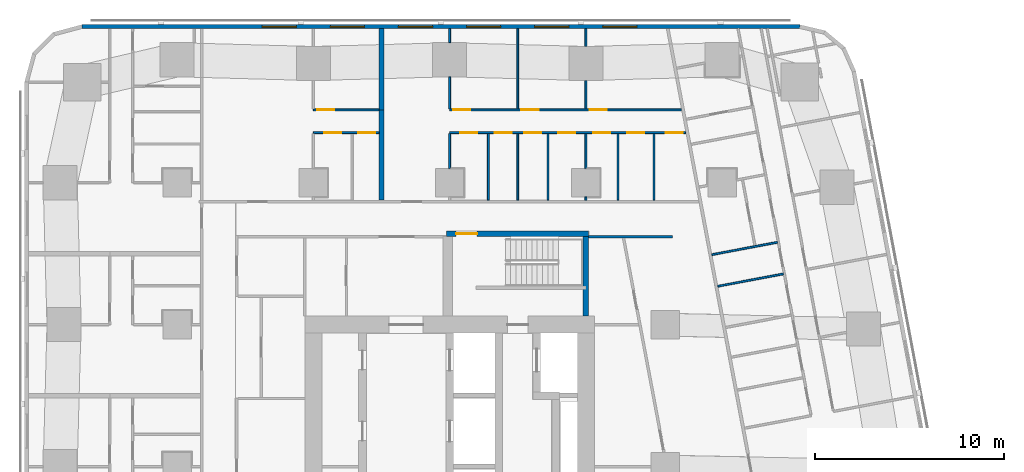
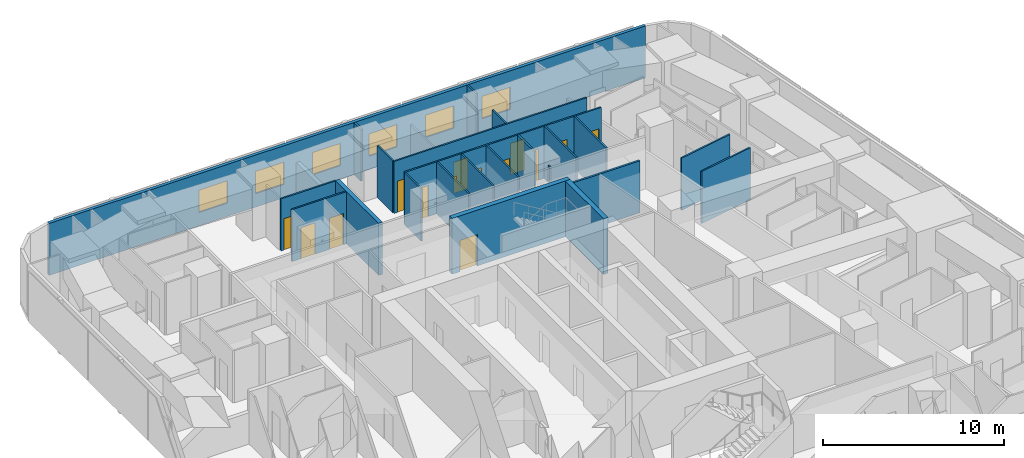
# One storey, part 10 of 15: 25 walls, 14 doors, 6 windows, 20 openings.
"""IFC4 building model written with IfcOpenShell, lengths in metres."""

from ifc_helpers import new_model, si_unit, direction, frame, frame_2d, origin, place, context, subcontext, project, spatial, rectangle, extrude, material, layer, layer_set, type_object, element, fill, save


model = new_model("IFC4")

# Units and contexts
model_context = context("Model", 3, precision=1e-05, world=origin(), true_north=direction((0.0, 1.0)))
body_context = subcontext(model_context, "Body", "Model", "MODEL_VIEW")
ifc_project = project(units=[si_unit("LENGTHUNIT", "METRE"), si_unit("AREAUNIT", "SQUARE_METRE"), si_unit("VOLUMEUNIT", "CUBIC_METRE"), si_unit("PLANEANGLEUNIT", "RADIAN"), si_unit("MASSUNIT", "GRAM", prefix="KILO")], contexts=[model_context])

# Site, building, storey
site_placement = place(None, origin())
site = spatial("IfcSite", under=ifc_project, at=site_placement, CompositionType="ELEMENT")
building_placement = place(site_placement, origin())
building = spatial("IfcBuilding", under=site, at=building_placement, Name="Sheger Commons Tower", CompositionType="ELEMENT")
storey_placement = place(building_placement, frame((0.0, 0.0, 143.300048828125)))
storey = spatial("IfcBuildingStorey", under=building, at=storey_placement, Name="L36", CompositionType="ELEMENT", Elevation=143.300048828125)

# Walls
ifc_material_1 = material(Name="Dense concrete block masonry, plastered both sides (separating wall between flats)", Category="masonry")
ifc_layer_1 = layer(ifc_material_1, 0.25)
ifc_layer_set_1 = layer_set([ifc_layer_1], Name="DEMISING WALL 250")
wall_type_1 = type_object("IfcWallType", Name="DEMISING WALL 250", PredefinedType="SOLIDWALL", material=ifc_layer_set_1)
wall_1_placement = place(storey_placement, frame((18.0, 41.35009765625, 0.0), z_axis=(0.0, 0.0, 1.0), x_axis=(0.0, 1.0, 0.0)))
element("IfcWall", 1, at=wall_1_placement, inside=storey, type_object=wall_type_1, Name="Demising wall L36", PredefinedType="SOLIDWALL", context=body_context, shape_type="SweptSolid", body=[
    extrude(rectangle(XDim=4.2998046875, YDim=0.25, at=frame_2d((2.14990234375, 0.0))), origin(), (0.0, 0.0, 1.0), 2.099853515625),
])
wall_2_placement = place(storey_placement, frame((18.0, 36.574951171875, 0.0), z_axis=(0.0, 0.0, 1.0), x_axis=(0.0, 1.0, 0.0)))
element("IfcWall", 2, at=wall_2_placement, inside=storey, type_object=wall_type_1, Name="Demising wall L36", PredefinedType="SOLIDWALL", context=body_context, shape_type="SweptSolid", body=[
    extrude(rectangle(XDim=4.775146484375, YDim=0.25, at=frame_2d((2.3876953125, 0.0))), origin(), (0.0, 0.0, 1.0), 3.5),
])

# Wall, openings, windows
ifc_material_2 = material(Name="Rendered concrete block masonry, dark grey", Category="masonry")
ifc_layer_2 = layer(ifc_material_2, 0.199951171875)
ifc_layer_set_2 = layer_set([ifc_layer_2], Name="FACADE WALL 200")
wall_type_2 = type_object("IfcWallType", Name="FACADE WALL 200", PredefinedType="SOLIDWALL", material=ifc_layer_set_2)
wall_3_placement = place(storey_placement, frame((40.10595703125, 45.75, 0.0), z_axis=(0.0, 0.0, 1.0), x_axis=(-1.0, 0.0, 0.0)))
wall_3 = element("IfcWall", 3, at=wall_3_placement, inside=storey, type_object=wall_type_2, Name="Facade wall L36", PredefinedType="SOLIDWALL", context=body_context, shape_type="SweptSolid", body=[
    extrude(rectangle(XDim=37.94287109375, YDim=0.199951171875, at=frame_2d((18.971435546875, 0.0))), origin(), (0.0, 0.0, 1.0), 3.5),
])
opening_1_placement = place(wall_3_placement, frame((8.60595703125, 0.0, 0.89990234375)))
opening_1 = element("IfcOpeningElement", 4, at=opening_1_placement, cuts=wall_3, Name="Opening W2", PredefinedType="OPENING", context=body_context, shape_type="SweptSolid", body=[
    extrude(rectangle(XDim=1.800048828125, YDim=1.5, at=frame_2d((0.89990234375, 0.75))), frame((0.0, 0.10986328125, 0.0), z_axis=(0.0, -1.0, 0.0), x_axis=(1.0, 0.0, 0.0)), (0.0, 0.0, 1.0), 0.219970703125),
])
opening_2_placement = place(wall_3_placement, frame((12.2060546875, 0.0, 0.89990234375)))
opening_2 = element("IfcOpeningElement", 5, at=opening_2_placement, cuts=wall_3, Name="Opening W2", PredefinedType="OPENING", context=body_context, shape_type="SweptSolid", body=[
    extrude(rectangle(XDim=1.800048828125, YDim=1.5, at=frame_2d((0.89990234375, 0.75))), frame((0.0, 0.10986328125, 0.0), z_axis=(0.0, -1.0, 0.0), x_axis=(1.0, 0.0, 0.0)), (0.0, 0.0, 1.0), 0.219970703125),
])
opening_3_placement = place(wall_3_placement, frame((15.805908203125, 0.0, 0.89990234375)))
opening_3 = element("IfcOpeningElement", 6, at=opening_3_placement, cuts=wall_3, Name="Opening W2", PredefinedType="OPENING", context=body_context, shape_type="SweptSolid", body=[
    extrude(rectangle(XDim=1.800048828125, YDim=1.5, at=frame_2d((0.89990234375, 0.75))), frame((0.0, 0.10986328125, 0.0), z_axis=(0.0, -1.0, 0.0), x_axis=(1.0, 0.0, 0.0)), (0.0, 0.0, 1.0), 0.219970703125),
])
opening_4_placement = place(wall_3_placement, frame((19.406005859375, 0.0, 0.89990234375)))
opening_4 = element("IfcOpeningElement", 7, at=opening_4_placement, cuts=wall_3, Name="Opening W2", PredefinedType="OPENING", context=body_context, shape_type="SweptSolid", body=[
    extrude(rectangle(XDim=1.800048828125, YDim=1.5, at=frame_2d((0.89990234375, 0.75))), frame((0.0, 0.10986328125, 0.0), z_axis=(0.0, -1.0, 0.0), x_axis=(1.0, 0.0, 0.0)), (0.0, 0.0, 1.0), 0.219970703125),
])
opening_5_placement = place(wall_3_placement, frame((23.006103515625, 0.0, 0.89990234375)))
opening_5 = element("IfcOpeningElement", 8, at=opening_5_placement, cuts=wall_3, Name="Opening W2", PredefinedType="OPENING", context=body_context, shape_type="SweptSolid", body=[
    extrude(rectangle(XDim=1.800048828125, YDim=1.5, at=frame_2d((0.89990234375, 0.75))), frame((0.0, 0.10986328125, 0.0), z_axis=(0.0, -1.0, 0.0), x_axis=(1.0, 0.0, 0.0)), (0.0, 0.0, 1.0), 0.219970703125),
])
opening_6_placement = place(wall_3_placement, frame((26.60595703125, 0.0, 0.89990234375)))
opening_6 = element("IfcOpeningElement", 9, at=opening_6_placement, cuts=wall_3, Name="Opening W2", PredefinedType="OPENING", context=body_context, shape_type="SweptSolid", body=[
    extrude(rectangle(XDim=1.800048828125, YDim=1.5, at=frame_2d((0.89990234375, 0.75))), frame((0.0, 0.10986328125, 0.0), z_axis=(0.0, -1.0, 0.0), x_axis=(1.0, 0.0, 0.0)), (0.0, 0.0, 1.0), 0.219970703125),
])
ifc_material_3 = material(Name="Black aluminium frame, dark tinted double glazing", Category="aluminium")
window_type = type_object("IfcWindowType", Name="WINDOW W2 1800x1500", PartitioningType="SINGLE_PANEL", PredefinedType="WINDOW", material=ifc_material_3)
window_1_placement = place(opening_1_placement, origin())
window_1 = element("IfcWindow", 10, at=window_1_placement, inside=storey, type_object=window_type, Name="Window W2 1800X1500", OverallHeight=1.5, OverallWidth=1.800048828125, PartitioningType="SINGLE_PANEL", PredefinedType="WINDOW", context=body_context, shape_type="SweptSolid", body=[
    extrude(rectangle(XDim=1.800048828125, YDim=1.5, at=frame_2d((0.89990234375, 0.75))), frame((0.0, 0.030029296875, 0.0), z_axis=(0.0, -1.0, 0.0), x_axis=(1.0, 0.0, 0.0)), (0.0, 0.0, 1.0), 0.06005859375),
])
fill(opening_1, window_1)
window_2_placement = place(opening_2_placement, origin())
window_2 = element("IfcWindow", 11, at=window_2_placement, inside=storey, type_object=window_type, Name="Window W2 1800X1500", OverallHeight=1.5, OverallWidth=1.800048828125, PartitioningType="SINGLE_PANEL", PredefinedType="WINDOW", context=body_context, shape_type="SweptSolid", body=[
    extrude(rectangle(XDim=1.800048828125, YDim=1.5, at=frame_2d((0.89990234375, 0.75))), frame((0.0, 0.030029296875, 0.0), z_axis=(0.0, -1.0, 0.0), x_axis=(1.0, 0.0, 0.0)), (0.0, 0.0, 1.0), 0.06005859375),
])
fill(opening_2, window_2)
window_3_placement = place(opening_3_placement, origin())
window_3 = element("IfcWindow", 12, at=window_3_placement, inside=storey, type_object=window_type, Name="Window W2 1800X1500", OverallHeight=1.5, OverallWidth=1.800048828125, PartitioningType="SINGLE_PANEL", PredefinedType="WINDOW", context=body_context, shape_type="SweptSolid", body=[
    extrude(rectangle(XDim=1.800048828125, YDim=1.5, at=frame_2d((0.89990234375, 0.75))), frame((0.0, 0.030029296875, 0.0), z_axis=(0.0, -1.0, 0.0), x_axis=(1.0, 0.0, 0.0)), (0.0, 0.0, 1.0), 0.06005859375),
])
fill(opening_3, window_3)
window_4_placement = place(opening_4_placement, origin())
window_4 = element("IfcWindow", 13, at=window_4_placement, inside=storey, type_object=window_type, Name="Window W2 1800X1500", OverallHeight=1.5, OverallWidth=1.800048828125, PartitioningType="SINGLE_PANEL", PredefinedType="WINDOW", context=body_context, shape_type="SweptSolid", body=[
    extrude(rectangle(XDim=1.800048828125, YDim=1.5, at=frame_2d((0.89990234375, 0.75))), frame((0.0, 0.030029296875, 0.0), z_axis=(0.0, -1.0, 0.0), x_axis=(1.0, 0.0, 0.0)), (0.0, 0.0, 1.0), 0.06005859375),
])
fill(opening_4, window_4)
window_5_placement = place(opening_5_placement, origin())
window_5 = element("IfcWindow", 14, at=window_5_placement, inside=storey, type_object=window_type, Name="Window W2 1800X1500", OverallHeight=1.5, OverallWidth=1.800048828125, PartitioningType="SINGLE_PANEL", PredefinedType="WINDOW", context=body_context, shape_type="SweptSolid", body=[
    extrude(rectangle(XDim=1.800048828125, YDim=1.5, at=frame_2d((0.89990234375, 0.75))), frame((0.0, 0.030029296875, 0.0), z_axis=(0.0, -1.0, 0.0), x_axis=(1.0, 0.0, 0.0)), (0.0, 0.0, 1.0), 0.06005859375),
])
fill(opening_5, window_5)
window_6_placement = place(opening_6_placement, origin())
window_6 = element("IfcWindow", 15, at=window_6_placement, inside=storey, type_object=window_type, Name="Window W2 1800X1500", OverallHeight=1.5, OverallWidth=1.800048828125, PartitioningType="SINGLE_PANEL", PredefinedType="WINDOW", context=body_context, shape_type="SweptSolid", body=[
    extrude(rectangle(XDim=1.800048828125, YDim=1.5, at=frame_2d((0.89990234375, 0.75))), frame((0.0, 0.030029296875, 0.0), z_axis=(0.0, -1.0, 0.0), x_axis=(1.0, 0.0, 0.0)), (0.0, 0.0, 1.0), 0.06005859375),
])
fill(opening_6, window_6)

# Walls
ifc_material_4 = material(Name="Gypsum board on steel studs", Category="steel")
ifc_layer_3 = layer(ifc_material_4, 0.10009765625)
ifc_layer_set_3 = layer_set([ifc_layer_3], Name="PARTITION 100")
wall_type_3 = type_object("IfcWallType", Name="PARTITION 100", PredefinedType="PARTITIONING", material=ifc_layer_set_3)
wall_4_placement = place(storey_placement, frame((39.239990234375, 32.68310546875, 0.0), z_axis=(0.0, 0.0, 1.0), x_axis=(-0.982638553676, -0.185530247748, 0.0)))
element("IfcWall", 16, at=wall_4_placement, inside=storey, type_object=wall_type_3, Name="Partition L36", PredefinedType="PARTITIONING", context=body_context, shape_type="SweptSolid", body=[
    extrude(rectangle(XDim=3.525390625, YDim=0.10009765625, at=frame_2d((1.7626953125, 0.0))), origin(), (0.0, 0.0, 1.0), 3.5),
])
wall_5_placement = place(storey_placement, frame((38.924072265625, 34.35302734375, 0.0), z_axis=(0.0, 0.0, 1.0), x_axis=(-0.982629014545, -0.18558076348, 0.0)))
element("IfcWall", 17, at=wall_5_placement, inside=storey, type_object=wall_type_3, Name="Partition L36", PredefinedType="PARTITIONING", context=body_context, shape_type="SweptSolid", body=[
    extrude(rectangle(XDim=3.5244140625, YDim=0.10009765625, at=frame_2d((1.76220703125, 0.0))), origin(), (0.0, 0.0, 1.0), 3.5),
])

# Wall, opening, door
wall_6_placement = place(storey_placement, frame((14.39990234375, 41.35009765625, 0.0), z_axis=(0.0, 0.0, 1.0), x_axis=(1.0, 0.0, 0.0)))
wall_6 = element("IfcWall", 18, at=wall_6_placement, inside=storey, type_object=wall_type_3, Name="Partition L36", PredefinedType="PARTITIONING", context=body_context, shape_type="SweptSolid", body=[
    extrude(rectangle(XDim=3.47509765625, YDim=0.10009765625, at=frame_2d((1.737548828125, 0.0))), origin(), (0.0, 0.0, 1.0), 3.5),
])
opening_7_placement = place(wall_6_placement, frame((0.199951171875, 0.0, 0.0)))
opening_7 = element("IfcOpeningElement", 19, at=opening_7_placement, cuts=wall_6, Name="Opening D2", PredefinedType="OPENING", context=body_context, shape_type="SweptSolid", body=[
    extrude(rectangle(XDim=0.89990234375, YDim=2.10009765625, at=frame_2d((0.449951171875, 1.050048828125))), frame((0.0, 0.06005859375, 0.0), z_axis=(0.0, -1.0, 0.0), x_axis=(1.0, 0.0, 0.0)), (0.0, 0.0, 1.0), 0.1201171875),
])
ifc_material_5 = material(Name="Timber door set", Category="wood")
door_type_1 = type_object("IfcDoorType", Name="INTERNAL DOOR 900x2100", OperationType="NOTDEFINED", PredefinedType="DOOR", material=ifc_material_5)
door_1_placement = place(opening_7_placement, origin())
door_1 = element("IfcDoor", 20, at=door_1_placement, inside=storey, type_object=door_type_1, Name="Main bedroom door", OperationType="SINGLE_SWING_LEFT", OverallHeight=2.10009765625, OverallWidth=0.89990234375, PredefinedType="DOOR", context=body_context, shape_type="SweptSolid", body=[
    extrude(rectangle(XDim=0.89990234375, YDim=2.10009765625, at=frame_2d((0.449951171875, 1.050048828125))), frame((0.0, 0.02490234375, 0.0), z_axis=(0.0, -1.0, 0.0), x_axis=(1.0, 0.0, 0.0)), (0.0, 0.0, 1.0), 0.050048828125),
])
fill(opening_7, door_1)

# Wall, openings, doors
wall_7_placement = place(storey_placement, frame((14.39990234375, 40.14990234375, 0.0), z_axis=(0.0, 0.0, 1.0), x_axis=(1.0, 0.0, 0.0)))
wall_7 = element("IfcWall", 21, at=wall_7_placement, inside=storey, type_object=wall_type_3, Name="Partition L36", PredefinedType="PARTITIONING", context=body_context, shape_type="SweptSolid", body=[
    extrude(rectangle(XDim=3.47509765625, YDim=0.10009765625, at=frame_2d((1.737548828125, 0.0))), origin(), (0.0, 0.0, 1.0), 3.5),
])
opening_8_placement = place(wall_7_placement, frame((0.574951171875, 0.0, 0.0)))
opening_8 = element("IfcOpeningElement", 22, at=opening_8_placement, cuts=wall_7, Name="Opening D2", PredefinedType="OPENING", context=body_context, shape_type="SweptSolid", body=[
    extrude(rectangle(XDim=0.89990234375, YDim=2.10009765625, at=frame_2d((0.449951171875, 1.050048828125))), frame((0.0, 0.06005859375, 0.0), z_axis=(0.0, -1.0, 0.0), x_axis=(1.0, 0.0, 0.0)), (0.0, 0.0, 1.0), 0.1201171875),
])
opening_9_placement = place(wall_7_placement, frame((2.375, 0.0, 0.0)))
opening_9 = element("IfcOpeningElement", 23, at=opening_9_placement, cuts=wall_7, Name="Opening D2", PredefinedType="OPENING", context=body_context, shape_type="SweptSolid", body=[
    extrude(rectangle(XDim=0.89990234375, YDim=2.10009765625, at=frame_2d((0.449951171875, 1.050048828125))), frame((0.0, 0.06005859375, 0.0), z_axis=(0.0, -1.0, 0.0), x_axis=(1.0, 0.0, 0.0)), (0.0, 0.0, 1.0), 0.1201171875),
])
door_2_placement = place(opening_8_placement, origin())
door_2 = element("IfcDoor", 24, at=door_2_placement, inside=storey, type_object=door_type_1, Name="Bathroom door", OperationType="SINGLE_SWING_RIGHT", OverallHeight=2.10009765625, OverallWidth=0.89990234375, PredefinedType="DOOR", context=body_context, shape_type="SweptSolid", body=[
    extrude(rectangle(XDim=0.89990234375, YDim=2.10009765625, at=frame_2d((0.449951171875, 1.050048828125))), frame((0.0, 0.02490234375, 0.0), z_axis=(0.0, -1.0, 0.0), x_axis=(1.0, 0.0, 0.0)), (0.0, 0.0, 1.0), 0.050048828125),
])
fill(opening_8, door_2)
door_3_placement = place(opening_9_placement, origin())
door_3 = element("IfcDoor", 25, at=door_3_placement, inside=storey, type_object=door_type_1, Name="Store door", OperationType="SINGLE_SWING_LEFT", OverallHeight=2.10009765625, OverallWidth=0.89990234375, PredefinedType="DOOR", context=body_context, shape_type="SweptSolid", body=[
    extrude(rectangle(XDim=0.89990234375, YDim=2.10009765625, at=frame_2d((0.449951171875, 1.050048828125))), frame((0.0, 0.02490234375, 0.0), z_axis=(0.0, -1.0, 0.0), x_axis=(1.0, 0.0, 0.0)), (0.0, 0.0, 1.0), 0.050048828125),
])
fill(opening_9, door_3)

wall_8_placement = place(storey_placement, frame((21.60009765625, 41.35009765625, 0.0), z_axis=(0.0, 0.0, 1.0), x_axis=(1.0, 0.0, 0.0)))
wall_8 = element("IfcWall", 26, at=wall_8_placement, inside=storey, type_object=wall_type_3, Name="Partition L36", PredefinedType="PARTITIONING", context=body_context, shape_type="SweptSolid", body=[
    extrude(rectangle(XDim=12.2529296875, YDim=0.10009765625, at=frame_2d((6.12646484375, 0.0))), origin(), (0.0, 0.0, 1.0), 3.5),
])
opening_10_placement = place(wall_8_placement, frame((0.199951171875, 0.0, 0.0)))
opening_10 = element("IfcOpeningElement", 27, at=opening_10_placement, cuts=wall_8, Name="Opening D2", PredefinedType="OPENING", context=body_context, shape_type="SweptSolid", body=[
    extrude(rectangle(XDim=0.89990234375, YDim=2.10009765625, at=frame_2d((0.449951171875, 1.050048828125))), frame((0.0, 0.06005859375, 0.0), z_axis=(0.0, -1.0, 0.0), x_axis=(1.0, 0.0, 0.0)), (0.0, 0.0, 1.0), 0.1201171875),
])
opening_11_placement = place(wall_8_placement, frame((3.800048828125, 0.0, 0.0)))
opening_11 = element("IfcOpeningElement", 28, at=opening_11_placement, cuts=wall_8, Name="Opening D2", PredefinedType="OPENING", context=body_context, shape_type="SweptSolid", body=[
    extrude(rectangle(XDim=0.89990234375, YDim=2.10009765625, at=frame_2d((0.449951171875, 1.050048828125))), frame((0.0, 0.06005859375, 0.0), z_axis=(0.0, -1.0, 0.0), x_axis=(1.0, 0.0, 0.0)), (0.0, 0.0, 1.0), 0.1201171875),
])
opening_12_placement = place(wall_8_placement, frame((7.39990234375, 0.0, 0.0)))
opening_12 = element("IfcOpeningElement", 29, at=opening_12_placement, cuts=wall_8, Name="Opening D2", PredefinedType="OPENING", context=body_context, shape_type="SweptSolid", body=[
    extrude(rectangle(XDim=0.89990234375, YDim=2.10009765625, at=frame_2d((0.449951171875, 1.050048828125))), frame((0.0, 0.06005859375, 0.0), z_axis=(0.0, -1.0, 0.0), x_axis=(1.0, 0.0, 0.0)), (0.0, 0.0, 1.0), 0.1201171875),
])
door_4_placement = place(opening_10_placement, origin())
door_4 = element("IfcDoor", 30, at=door_4_placement, inside=storey, type_object=door_type_1, Name="Main bedroom door", OperationType="SINGLE_SWING_LEFT", OverallHeight=2.10009765625, OverallWidth=0.89990234375, PredefinedType="DOOR", context=body_context, shape_type="SweptSolid", body=[
    extrude(rectangle(XDim=0.89990234375, YDim=2.10009765625, at=frame_2d((0.449951171875, 1.050048828125))), frame((0.0, 0.02490234375, 0.0), z_axis=(0.0, -1.0, 0.0), x_axis=(1.0, 0.0, 0.0)), (0.0, 0.0, 1.0), 0.050048828125),
])
fill(opening_10, door_4)
door_5_placement = place(opening_11_placement, origin())
door_5 = element("IfcDoor", 31, at=door_5_placement, inside=storey, type_object=door_type_1, Name="Bedroom 2 door", OperationType="SINGLE_SWING_LEFT", OverallHeight=2.10009765625, OverallWidth=0.89990234375, PredefinedType="DOOR", context=body_context, shape_type="SweptSolid", body=[
    extrude(rectangle(XDim=0.89990234375, YDim=2.10009765625, at=frame_2d((0.449951171875, 1.050048828125))), frame((0.0, 0.02490234375, 0.0), z_axis=(0.0, -1.0, 0.0), x_axis=(1.0, 0.0, 0.0)), (0.0, 0.0, 1.0), 0.050048828125),
])
fill(opening_11, door_5)
door_6_placement = place(opening_12_placement, origin())
door_6 = element("IfcDoor", 32, at=door_6_placement, inside=storey, type_object=door_type_1, Name="Bedroom 3 door", OperationType="SINGLE_SWING_LEFT", OverallHeight=2.10009765625, OverallWidth=0.89990234375, PredefinedType="DOOR", context=body_context, shape_type="SweptSolid", body=[
    extrude(rectangle(XDim=0.89990234375, YDim=2.10009765625, at=frame_2d((0.449951171875, 1.050048828125))), frame((0.0, 0.02490234375, 0.0), z_axis=(0.0, -1.0, 0.0), x_axis=(1.0, 0.0, 0.0)), (0.0, 0.0, 1.0), 0.050048828125),
])
fill(opening_12, door_6)

wall_9_placement = place(storey_placement, frame((21.60009765625, 40.14990234375, 0.0), z_axis=(0.0, 0.0, 1.0), x_axis=(1.0, 0.0, 0.0)))
wall_9 = element("IfcWall", 33, at=wall_9_placement, inside=storey, type_object=wall_type_3, Name="Partition L36", PredefinedType="PARTITIONING", context=body_context, shape_type="SweptSolid", body=[
    extrude(rectangle(XDim=12.47998046875, YDim=0.10009765625, at=frame_2d((6.239990234375, 0.0))), origin(), (0.0, 0.0, 1.0), 3.5),
])
opening_13_placement = place(wall_9_placement, frame((0.574951171875, 0.0, 0.0)))
opening_13 = element("IfcOpeningElement", 34, at=opening_13_placement, cuts=wall_9, Name="Opening D2", PredefinedType="OPENING", context=body_context, shape_type="SweptSolid", body=[
    extrude(rectangle(XDim=0.89990234375, YDim=2.10009765625, at=frame_2d((0.449951171875, 1.050048828125))), frame((0.0, 0.06005859375, 0.0), z_axis=(0.0, -1.0, 0.0), x_axis=(1.0, 0.0, 0.0)), (0.0, 0.0, 1.0), 0.1201171875),
])
opening_14_placement = place(wall_9_placement, frame((3.949951171875, 0.0, 0.0)))
opening_14 = element("IfcOpeningElement", 35, at=opening_14_placement, cuts=wall_9, Name="Opening D2", PredefinedType="OPENING", context=body_context, shape_type="SweptSolid", body=[
    extrude(rectangle(XDim=0.89990234375, YDim=2.10009765625, at=frame_2d((0.449951171875, 1.050048828125))), frame((0.0, 0.06005859375, 0.0), z_axis=(0.0, -1.0, 0.0), x_axis=(1.0, 0.0, 0.0)), (0.0, 0.0, 1.0), 0.1201171875),
])
opening_15_placement = place(wall_9_placement, frame((7.60009765625, 0.0, 0.0)))
opening_15 = element("IfcOpeningElement", 36, at=opening_15_placement, cuts=wall_9, Name="Opening D2", PredefinedType="OPENING", context=body_context, shape_type="SweptSolid", body=[
    extrude(rectangle(XDim=0.89990234375, YDim=2.10009765625, at=frame_2d((0.449951171875, 1.050048828125))), frame((0.0, 0.06005859375, 0.0), z_axis=(0.0, -1.0, 0.0), x_axis=(1.0, 0.0, 0.0)), (0.0, 0.0, 1.0), 0.1201171875),
])
opening_16_placement = place(wall_9_placement, frame((11.429931640625, 0.0, 0.0)))
opening_16 = element("IfcOpeningElement", 37, at=opening_16_placement, cuts=wall_9, Name="Opening D2", PredefinedType="OPENING", context=body_context, shape_type="SweptSolid", body=[
    extrude(rectangle(XDim=0.89990234375, YDim=2.10009765625, at=frame_2d((0.449951171875, 1.050048828125))), frame((0.0, 0.06005859375, 0.0), z_axis=(0.0, -1.0, 0.0), x_axis=(1.0, 0.0, 0.0)), (0.0, 0.0, 1.0), 0.1201171875),
])
opening_17_placement = place(wall_9_placement, frame((2.375, 0.0, 0.0)))
opening_17 = element("IfcOpeningElement", 38, at=opening_17_placement, cuts=wall_9, Name="Opening D2", PredefinedType="OPENING", context=body_context, shape_type="SweptSolid", body=[
    extrude(rectangle(XDim=0.89990234375, YDim=2.10009765625, at=frame_2d((0.449951171875, 1.050048828125))), frame((0.0, 0.06005859375, 0.0), z_axis=(0.0, -1.0, 0.0), x_axis=(1.0, 0.0, 0.0)), (0.0, 0.0, 1.0), 0.1201171875),
])
opening_18_placement = place(wall_9_placement, frame((5.75, 0.0, 0.0)))
opening_18 = element("IfcOpeningElement", 39, at=opening_18_placement, cuts=wall_9, Name="Opening D2", PredefinedType="OPENING", context=body_context, shape_type="SweptSolid", body=[
    extrude(rectangle(XDim=0.89990234375, YDim=2.10009765625, at=frame_2d((0.449951171875, 1.050048828125))), frame((0.0, 0.06005859375, 0.0), z_axis=(0.0, -1.0, 0.0), x_axis=(1.0, 0.0, 0.0)), (0.0, 0.0, 1.0), 0.1201171875),
])
opening_19_placement = place(wall_9_placement, frame((9.39990234375, 0.0, 0.0)))
opening_19 = element("IfcOpeningElement", 40, at=opening_19_placement, cuts=wall_9, Name="Opening D2", PredefinedType="OPENING", context=body_context, shape_type="SweptSolid", body=[
    extrude(rectangle(XDim=0.89990234375, YDim=2.10009765625, at=frame_2d((0.449951171875, 1.050048828125))), frame((0.0, 0.06005859375, 0.0), z_axis=(0.0, -1.0, 0.0), x_axis=(1.0, 0.0, 0.0)), (0.0, 0.0, 1.0), 0.1201171875),
])
door_7_placement = place(opening_13_placement, origin())
door_7 = element("IfcDoor", 41, at=door_7_placement, inside=storey, type_object=door_type_1, Name="Bathroom door", OperationType="SINGLE_SWING_RIGHT", OverallHeight=2.10009765625, OverallWidth=0.89990234375, PredefinedType="DOOR", context=body_context, shape_type="SweptSolid", body=[
    extrude(rectangle(XDim=0.89990234375, YDim=2.10009765625, at=frame_2d((0.449951171875, 1.050048828125))), frame((0.0, 0.02490234375, 0.0), z_axis=(0.0, -1.0, 0.0), x_axis=(1.0, 0.0, 0.0)), (0.0, 0.0, 1.0), 0.050048828125),
])
fill(opening_13, door_7)
door_8_placement = place(opening_14_placement, origin())
door_8 = element("IfcDoor", 42, at=door_8_placement, inside=storey, type_object=door_type_1, Name="Shower room door", OperationType="SINGLE_SWING_RIGHT", OverallHeight=2.10009765625, OverallWidth=0.89990234375, PredefinedType="DOOR", context=body_context, shape_type="SweptSolid", body=[
    extrude(rectangle(XDim=0.89990234375, YDim=2.10009765625, at=frame_2d((0.449951171875, 1.050048828125))), frame((0.0, 0.02490234375, 0.0), z_axis=(0.0, -1.0, 0.0), x_axis=(1.0, 0.0, 0.0)), (0.0, 0.0, 1.0), 0.050048828125),
])
fill(opening_14, door_8)
door_9_placement = place(opening_15_placement, origin())
door_9 = element("IfcDoor", 43, at=door_9_placement, inside=storey, type_object=door_type_1, Name="Laundry room door", OperationType="SINGLE_SWING_RIGHT", OverallHeight=2.10009765625, OverallWidth=0.89990234375, PredefinedType="DOOR", context=body_context, shape_type="SweptSolid", body=[
    extrude(rectangle(XDim=0.89990234375, YDim=2.10009765625, at=frame_2d((0.449951171875, 1.050048828125))), frame((0.0, 0.02490234375, 0.0), z_axis=(0.0, -1.0, 0.0), x_axis=(1.0, 0.0, 0.0)), (0.0, 0.0, 1.0), 0.050048828125),
])
fill(opening_15, door_9)
door_10_placement = place(opening_16_placement, origin())
door_10 = element("IfcDoor", 44, at=door_10_placement, inside=storey, type_object=door_type_1, Name="Store and laundry door", OperationType="SINGLE_SWING_LEFT", OverallHeight=2.10009765625, OverallWidth=0.89990234375, PredefinedType="DOOR", context=body_context, shape_type="SweptSolid", body=[
    extrude(rectangle(XDim=0.89990234375, YDim=2.10009765625, at=frame_2d((0.449951171875, 1.050048828125))), frame((0.0, 0.02490234375, 0.0), z_axis=(0.0, -1.0, 0.0), x_axis=(1.0, 0.0, 0.0)), (0.0, 0.0, 1.0), 0.050048828125),
])
fill(opening_16, door_10)
door_11_placement = place(opening_17_placement, origin())
door_11 = element("IfcDoor", 45, at=door_11_placement, inside=storey, type_object=door_type_1, Name="Store door", OperationType="SINGLE_SWING_LEFT", OverallHeight=2.10009765625, OverallWidth=0.89990234375, PredefinedType="DOOR", context=body_context, shape_type="SweptSolid", body=[
    extrude(rectangle(XDim=0.89990234375, YDim=2.10009765625, at=frame_2d((0.449951171875, 1.050048828125))), frame((0.0, 0.02490234375, 0.0), z_axis=(0.0, -1.0, 0.0), x_axis=(1.0, 0.0, 0.0)), (0.0, 0.0, 1.0), 0.050048828125),
])
fill(opening_17, door_11)
door_12_placement = place(opening_18_placement, origin())
door_12 = element("IfcDoor", 46, at=door_12_placement, inside=storey, type_object=door_type_1, Name="Store door", OperationType="SINGLE_SWING_LEFT", OverallHeight=2.10009765625, OverallWidth=0.89990234375, PredefinedType="DOOR", context=body_context, shape_type="SweptSolid", body=[
    extrude(rectangle(XDim=0.89990234375, YDim=2.10009765625, at=frame_2d((0.449951171875, 1.050048828125))), frame((0.0, 0.02490234375, 0.0), z_axis=(0.0, -1.0, 0.0), x_axis=(1.0, 0.0, 0.0)), (0.0, 0.0, 1.0), 0.050048828125),
])
fill(opening_18, door_12)
door_13_placement = place(opening_19_placement, origin())
door_13 = element("IfcDoor", 47, at=door_13_placement, inside=storey, type_object=door_type_1, Name="Store door", OperationType="SINGLE_SWING_LEFT", OverallHeight=2.10009765625, OverallWidth=0.89990234375, PredefinedType="DOOR", context=body_context, shape_type="SweptSolid", body=[
    extrude(rectangle(XDim=0.89990234375, YDim=2.10009765625, at=frame_2d((0.449951171875, 1.050048828125))), frame((0.0, 0.02490234375, 0.0), z_axis=(0.0, -1.0, 0.0), x_axis=(1.0, 0.0, 0.0)), (0.0, 0.0, 1.0), 0.050048828125),
])
fill(opening_19, door_13)

# Walls
wall_10_placement = place(storey_placement, frame((21.60009765625, 41.39990234375, 0.0), z_axis=(0.0, 0.0, 1.0), x_axis=(0.0, 1.0, 0.0)))
element("IfcWall", 48, at=wall_10_placement, inside=storey, type_object=wall_type_3, Name="Partition L36", PredefinedType="PARTITIONING", context=body_context, shape_type="SweptSolid", body=[
    extrude(rectangle(XDim=1.69921875, YDim=0.10009765625, at=frame_2d((0.849609375, 0.0))), origin(), (0.0, 0.0, 1.0), 3.5),
])
wall_11_placement = place(storey_placement, frame((21.60009765625, 44.90087890625, 0.0), z_axis=(0.0, 0.0, 1.0), x_axis=(0.0, 1.0, 0.0)))
element("IfcWall", 49, at=wall_11_placement, inside=storey, type_object=wall_type_3, Name="Partition L36", PredefinedType="PARTITIONING", context=body_context, shape_type="SweptSolid", body=[
    extrude(rectangle(XDim=0.7490234375, YDim=0.10009765625, at=frame_2d((0.37451171875, 0.0))), origin(), (0.0, 0.0, 1.0), 3.5),
])
wall_12_placement = place(storey_placement, frame((25.199951171875, 41.39990234375, 0.0), z_axis=(0.0, 0.0, 1.0), x_axis=(0.0, 1.0, 0.0)))
element("IfcWall", 50, at=wall_12_placement, inside=storey, type_object=wall_type_3, Name="Partition L36", PredefinedType="PARTITIONING", context=body_context, shape_type="SweptSolid", body=[
    extrude(rectangle(XDim=4.25, YDim=0.10009765625, at=frame_2d((2.125, 0.0))), origin(), (0.0, 0.0, 1.0), 2.099853515625),
])
wall_13_placement = place(storey_placement, frame((28.800048828125, 41.39990234375, 0.0), z_axis=(0.0, 0.0, 1.0), x_axis=(0.0, 1.0, 0.0)))
element("IfcWall", 51, at=wall_13_placement, inside=storey, type_object=wall_type_3, Name="Partition L36", PredefinedType="PARTITIONING", context=body_context, shape_type="SweptSolid", body=[
    extrude(rectangle(XDim=1.4990234375, YDim=0.10009765625, at=frame_2d((0.74951171875, 0.0))), origin(), (0.0, 0.0, 1.0), 3.5),
])
wall_14_placement = place(storey_placement, frame((28.800048828125, 44.700927734375, 0.0), z_axis=(0.0, 0.0, 1.0), x_axis=(0.0, 1.0, 0.0)))
element("IfcWall", 52, at=wall_14_placement, inside=storey, type_object=wall_type_3, Name="Partition L36", PredefinedType="PARTITIONING", context=body_context, shape_type="SweptSolid", body=[
    extrude(rectangle(XDim=0.948974609375, YDim=0.10009765625, at=frame_2d((0.474609375, 0.0))), origin(), (0.0, 0.0, 1.0), 3.5),
])
wall_15_placement = place(storey_placement, frame((21.60009765625, 38.2509765625, 0.0), z_axis=(0.0, 0.0, 1.0), x_axis=(0.0, 1.0, 0.0)))
element("IfcWall", 53, at=wall_15_placement, inside=storey, type_object=wall_type_3, Name="Partition L36", PredefinedType="PARTITIONING", context=body_context, shape_type="SweptSolid", body=[
    extrude(rectangle(XDim=1.84912109375, YDim=0.10009765625, at=frame_2d((0.924560546875, 0.0))), origin(), (0.0, 0.0, 1.0), 3.5),
])
wall_16_placement = place(storey_placement, frame((25.199951171875, 36.574951171875, 0.0), z_axis=(0.0, 0.0, 1.0), x_axis=(0.0, 1.0, 0.0)))
element("IfcWall", 54, at=wall_16_placement, inside=storey, type_object=wall_type_3, Name="Partition L36", PredefinedType="PARTITIONING", context=body_context, shape_type="SweptSolid", body=[
    extrude(rectangle(XDim=3.525146484375, YDim=0.10009765625, at=frame_2d((1.7626953125, 0.0))), origin(), (0.0, 0.0, 1.0), 3.5),
])
wall_17_placement = place(storey_placement, frame((28.800048828125, 36.574951171875, 0.0), z_axis=(0.0, 0.0, 1.0), x_axis=(0.0, 1.0, 0.0)))
element("IfcWall", 55, at=wall_17_placement, inside=storey, type_object=wall_type_3, Name="Partition L36", PredefinedType="PARTITIONING", context=body_context, shape_type="SweptSolid", body=[
    extrude(rectangle(XDim=0.174072265625, YDim=0.10009765625, at=frame_2d((0.0869140625, 0.0))), origin(), (0.0, 0.0, 1.0), 3.5),
])
wall_18_placement = place(storey_placement, frame((28.800048828125, 38.2509765625, 0.0), z_axis=(0.0, 0.0, 1.0), x_axis=(0.0, 1.0, 0.0)))
element("IfcWall", 56, at=wall_18_placement, inside=storey, type_object=wall_type_3, Name="Partition L36", PredefinedType="PARTITIONING", context=body_context, shape_type="SweptSolid", body=[
    extrude(rectangle(XDim=1.84912109375, YDim=0.10009765625, at=frame_2d((0.924560546875, 0.0))), origin(), (0.0, 0.0, 1.0), 3.5),
])
for number, where, z_axis, x_axis, name in (
    (57, (32.39990234375, 36.574951171875, 0.0), (0.0, 0.0, 1.0), (0.0, 1.0, 0.0), "Partition L36"),
    (58, (23.64990234375, 36.574951171875, 0.0), (0.0, 0.0, 1.0), (0.0, 1.0, 0.0), "Partition L36"),
    (59, (26.800048828125, 36.574951171875, 0.0), (0.0, 0.0, 1.0), (0.0, 1.0, 0.0), "Partition L36"),
    (60, (30.5, 36.574951171875, 0.0), (0.0, 0.0, 1.0), (0.0, 1.0, 0.0), "Partition L36"),
):
    element("IfcWall", number, at=place(storey_placement, frame(where, z_axis=z_axis, x_axis=x_axis)), inside=storey, type_object=wall_type_3, Name=name, PredefinedType="PARTITIONING", context=body_context, shape_type="SweptSolid", body=[
        extrude(rectangle(XDim=3.525146484375, YDim=0.10009765625, at=frame_2d((1.7626953125, 0.0))), origin(), (0.0, 0.0, 1.0), 3.5),
    ])
ifc_material_6 = material(Name="Gypsum board on steel studs, two layers each side, fire rated", Category="steel")
ifc_layer_4 = layer(ifc_material_6, 0.125)
ifc_layer_set_4 = layer_set([ifc_layer_4], Name="SERVICE WALL 125")
wall_type_4 = type_object("IfcWallType", Name="SERVICE WALL 125", PredefinedType="PARTITIONING", material=ifc_layer_set_4)
wall_19_placement = place(storey_placement, frame((28.949951171875, 34.64990234375, 0.0), z_axis=(0.0, 0.0, 1.0), x_axis=(1.0, 0.0, 0.0)))
element("IfcWall", 61, at=wall_19_placement, inside=storey, type_object=wall_type_4, Name="Service room wall L36", PredefinedType="PARTITIONING", context=body_context, shape_type="SweptSolid", body=[
    extrude(rectangle(XDim=4.423095703125, YDim=0.125, at=frame_2d((2.21142578125, 0.0))), origin(), (0.0, 0.0, 1.0), 3.5),
])

# Wall, opening, door
ifc_material_7 = material(Name="Concrete C50/60", Category="concrete")
ifc_layer_5 = layer(ifc_material_7, 0.300048828125)
ifc_layer_set_5 = layer_set([ifc_layer_5], Name="STAIR CORE WALL 300")
wall_type_5 = type_object("IfcWallType", Name="STAIR CORE WALL 300", PredefinedType="SHEAR", material=ifc_layer_set_5)
wall_20_placement = place(storey_placement, frame((21.449951171875, 34.800048828125, 0.0), z_axis=(0.0, 0.0, 1.0), x_axis=(1.0, 0.0, 0.0)))
wall_20 = element("IfcWall", 62, at=wall_20_placement, inside=storey, type_object=wall_type_5, Name="STW-L36-S2N", PredefinedType="SHEAR", context=body_context, shape_type="SweptSolid", body=[
    extrude(rectangle(XDim=7.5, YDim=0.300048828125, at=frame_2d((3.75, 0.0))), origin(), (0.0, 0.0, 1.0), 3.75),
])
opening_20_placement = place(wall_20_placement, frame((0.5, 0.0, 0.0)))
opening_20 = element("IfcOpeningElement", 63, at=opening_20_placement, cuts=wall_20, Name="Opening D5", PredefinedType="OPENING", context=body_context, shape_type="SweptSolid", body=[
    extrude(rectangle(XDim=1.10009765625, YDim=2.10009765625, at=frame_2d((0.550048828125, 1.050048828125))), frame((0.0, 0.159912109375, 0.0), z_axis=(0.0, -1.0, 0.0), x_axis=(1.0, 0.0, 0.0)), (0.0, 0.0, 1.0), 0.320068359375),
])
ifc_material_8 = material(Name="Steel door set, fire rated", Category="steel")
door_type_2 = type_object("IfcDoorType", Name="STAIR DOOR 1100x2100", OperationType="NOTDEFINED", PredefinedType="DOOR", material=ifc_material_8)
door_14_placement = place(opening_20_placement, origin())
door_14 = element("IfcDoor", 64, at=door_14_placement, inside=storey, type_object=door_type_2, Name="Stair S2 door", OperationType="SINGLE_SWING_RIGHT", OverallHeight=2.10009765625, OverallWidth=1.10009765625, PredefinedType="DOOR", context=body_context, shape_type="SweptSolid", body=[
    extrude(rectangle(XDim=1.10009765625, YDim=2.10009765625, at=frame_2d((0.550048828125, 1.050048828125))), frame((0.0, 0.02490234375, 0.0), z_axis=(0.0, -1.0, 0.0), x_axis=(1.0, 0.0, 0.0)), (0.0, 0.0, 1.0), 0.050048828125),
])
fill(opening_20, door_14)

# Wall
wall_21_placement = place(storey_placement, frame((28.800048828125, 30.449951171875, 0.0), z_axis=(0.0, 0.0, 1.0), x_axis=(0.0, 1.0, 0.0)))
element("IfcWall", 65, at=wall_21_placement, inside=storey, type_object=wall_type_5, Name="STW-L36-S2E", PredefinedType="SHEAR", context=body_context, shape_type="SweptSolid", body=[
    extrude(rectangle(XDim=4.199951171875, YDim=0.300048828125, at=frame_2d((2.10009765625, 0.0))), origin(), (0.0, 0.0, 1.0), 3.75),
])

save(model, "model.ifc")
